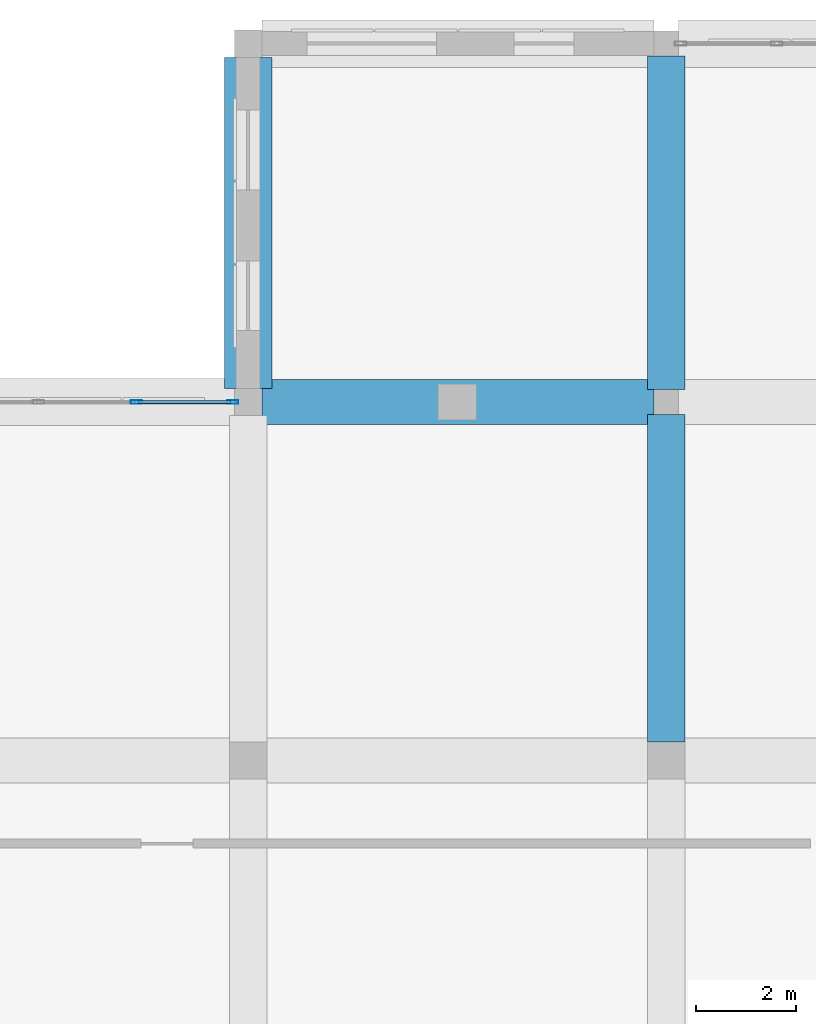
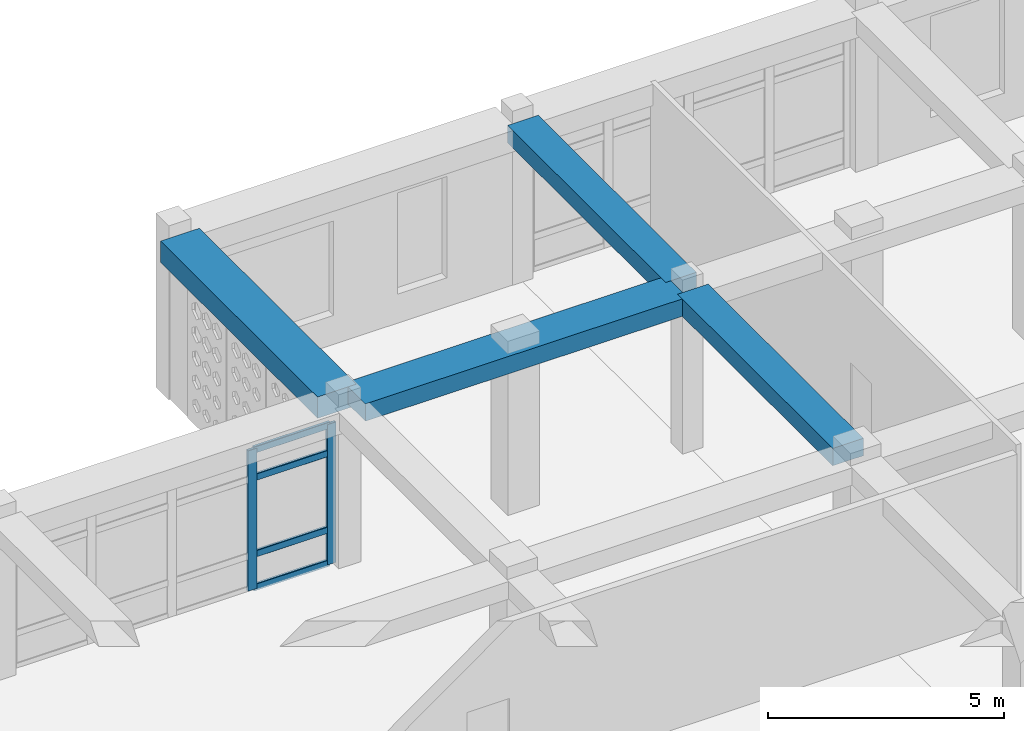
# One storey, part 43 of 121: 6 members, 4 beams, 1 element without a shape of its own.
"""IFC4 building model written with IfcOpenShell, lengths in metres."""

from ifc_helpers import new_model, si_unit, derived_unit, direction, frame, origin, origin_2d, place, context, subcontext, project, spatial, rectangle, hollow_rectangle, extrude, material, material_profile, profile_set, type_object, element, aggregate, save


model = new_model("IFC4")

# Units and contexts
model_context = context("Model", 3, precision=1e-05, world=origin(), true_north=direction((0.0, 1.0)))
body_context = subcontext(model_context, "Body", "Model", "MODEL_VIEW")
ifc_project = project(units=[si_unit("LENGTHUNIT", "METRE"), si_unit("AREAUNIT", "SQUARE_METRE"), si_unit("VOLUMEUNIT", "CUBIC_METRE"), si_unit("PLANEANGLEUNIT", "RADIAN"), si_unit("MASSUNIT", "GRAM", prefix="KILO"), derived_unit("THERMALTRANSMITTANCEUNIT", [(si_unit("POWERUNIT", "WATT"), 1), (si_unit("LENGTHUNIT", "METRE"), -2), (si_unit("THERMODYNAMICTEMPERATUREUNIT", "KELVIN"), -1)])], contexts=[model_context])

# Site, building, storey
site_placement = place(None, origin())
site = spatial("IfcSite", under=ifc_project, at=site_placement, CompositionType="ELEMENT")
building_placement = place(site_placement, origin())
building = spatial("IfcBuilding", under=site, at=building_placement, Name="Veybourne Emporium", CompositionType="ELEMENT")
storey_placement = place(building_placement, frame((0.0, 0.0, 5.39990234375)))
storey = spatial("IfcBuildingStorey", under=building, at=storey_placement, Name="L01", CompositionType="ELEMENT", Elevation=5.39990234375)

# Curtain wall, members
ifc_material_1 = material(Name="Patinated Architectural Bronze", Category="bronze")
curtain_wall_type = type_object("IfcCurtainWallType", Name="CWSystem_CWS-05", PredefinedType="NOTDEFINED", material=ifc_material_1)
curtain_wall_placement = place(storey_placement, origin())
curtain_wall = element("IfcCurtainWall", 1, at=curtain_wall_placement, inside=storey, type_object=curtain_wall_type, Name="L01 bronze glazed curtain wall CWS-05 (027)", PredefinedType="NOTDEFINED")
ifc_material_profile_1 = material_profile(ifc_material_1, hollow_rectangle(XDim=0.072021484375, YDim=0.22509765625, WallThickness=0.0048828125, InnerFilletRadius=0.007568359375, OuterFilletRadius=0.012451171875, at=origin_2d()), Name="CWM 72x225x5")
ifc_profile_set_1 = profile_set([ifc_material_profile_1], Name="Patinated Architectural Bronze")
member_type_1 = type_object("IfcMemberType", Name="CWMullion_CW-M1", PredefinedType="MULLION", material=ifc_profile_set_1)
member_1_placement = place(storey_placement, frame((48.15625, 108.0, 0.0), z_axis=(0.0, 0.0, 1.0), x_axis=(0.0, 1.0, 0.0)))
member_1 = element("IfcMember", 2, at=member_1_placement, type_object=member_type_1, Name="CWS-05 mullion 4", PredefinedType="MULLION", context=body_context, shape_type="SweptSolid", body=[
    extrude(hollow_rectangle(XDim=0.072021484375, YDim=0.22509765625, WallThickness=0.0048828125, InnerFilletRadius=0.007568359375, OuterFilletRadius=0.012451171875, at=origin_2d()), origin(), (0.0, 0.0, 1.0), 3.630126953125),
])
member_2_placement = place(storey_placement, frame((50.089111328125, 108.0, 0.0), z_axis=(0.0, 0.0, 1.0), x_axis=(0.0, 1.0, 0.0)))
member_2 = element("IfcMember", 3, at=member_2_placement, type_object=member_type_1, Name="CWS-05 mullion 5", PredefinedType="MULLION", context=body_context, shape_type="SweptSolid", body=[
    extrude(hollow_rectangle(XDim=0.072021484375, YDim=0.22509765625, WallThickness=0.0048828125, InnerFilletRadius=0.007568359375, OuterFilletRadius=0.012451171875, at=origin_2d()), origin(), (0.0, 0.0, 1.0), 3.630126953125),
])
ifc_material_profile_2 = material_profile(ifc_material_1, hollow_rectangle(XDim=0.072021484375, YDim=0.175048828125, WallThickness=0.0048828125, InnerFilletRadius=0.007568359375, OuterFilletRadius=0.012451171875, at=origin_2d()), Name="CWT 72x175x5")
ifc_profile_set_2 = profile_set([ifc_material_profile_2], Name="Patinated Architectural Bronze")
member_type_2 = type_object("IfcMemberType", Name="CWTransom_CW-T1", PredefinedType="NOTDEFINED", material=ifc_profile_set_2)
member_3_placement = place(storey_placement, frame((48.192138671875, 108.0, 0.0361328125), z_axis=(1.0, 0.0, 0.0), x_axis=(0.0, 1.0, 0.0)))
member_3 = element("IfcMember", 4, at=member_3_placement, type_object=member_type_2, Name="CWS-05 transom 4.1", ObjectType="TRANSOM", PredefinedType="USERDEFINED", context=body_context, shape_type="SweptSolid", body=[
    extrude(hollow_rectangle(XDim=0.072021484375, YDim=0.175048828125, WallThickness=0.0048828125, InnerFilletRadius=0.007568359375, OuterFilletRadius=0.012451171875, at=origin_2d()), origin(), (0.0, 0.0, 1.0), 1.86083984375),
])
member_4_placement = place(storey_placement, frame((48.192138671875, 108.0, 0.900146484375), z_axis=(1.0, 0.0, 0.0), x_axis=(0.0, 1.0, 0.0)))
member_4 = element("IfcMember", 5, at=member_4_placement, type_object=member_type_2, Name="CWS-05 transom 4.2", ObjectType="TRANSOM", PredefinedType="USERDEFINED", context=body_context, shape_type="SweptSolid", body=[
    extrude(hollow_rectangle(XDim=0.072021484375, YDim=0.175048828125, WallThickness=0.0048828125, InnerFilletRadius=0.007568359375, OuterFilletRadius=0.012451171875, at=origin_2d()), origin(), (0.0, 0.0, 1.0), 1.86083984375),
])
member_5_placement = place(storey_placement, frame((48.192138671875, 108.0, 2.880126953125), z_axis=(1.0, 0.0, 0.0), x_axis=(0.0, 1.0, 0.0)))
member_5 = element("IfcMember", 6, at=member_5_placement, type_object=member_type_2, Name="CWS-05 transom 4.3", ObjectType="TRANSOM", PredefinedType="USERDEFINED", context=body_context, shape_type="SweptSolid", body=[
    extrude(hollow_rectangle(XDim=0.072021484375, YDim=0.175048828125, WallThickness=0.0048828125, InnerFilletRadius=0.007568359375, OuterFilletRadius=0.012451171875, at=origin_2d()), origin(), (0.0, 0.0, 1.0), 1.86083984375),
])
member_6_placement = place(storey_placement, frame((48.192138671875, 108.0, 3.593994140625), z_axis=(1.0, 0.0, 0.0), x_axis=(0.0, 1.0, 0.0)))
member_6 = element("IfcMember", 7, at=member_6_placement, type_object=member_type_2, Name="CWS-05 transom 4.4", ObjectType="TRANSOM", PredefinedType="USERDEFINED", context=body_context, shape_type="SweptSolid", body=[
    extrude(hollow_rectangle(XDim=0.072021484375, YDim=0.175048828125, WallThickness=0.0048828125, InnerFilletRadius=0.007568359375, OuterFilletRadius=0.012451171875, at=origin_2d()), origin(), (0.0, 0.0, 1.0), 1.86083984375),
])
aggregate(curtain_wall, [member_1, member_2, member_3, member_4, member_5, member_6])

# Beams
ifc_material_2 = material(Name="Concrete C32/40", Category="concrete")
ifc_material_profile_3 = material_profile(ifc_material_2, rectangle(XDim=0.89990234375, YDim=0.449951171875, at=origin_2d()), Name="RC 900x450")
ifc_profile_set_3 = profile_set([ifc_material_profile_3], Name="Concrete C32/40")
beam_type_1 = type_object("IfcBeamType", Name="RCBeam_BB-03", PredefinedType="BEAM", material=ifc_profile_set_3)
beam_1_placement = place(storey_placement, frame((50.675048828125, 108.0, 3.955078125), z_axis=(1.0, 0.0, 0.0), x_axis=(0.0, 1.0, 0.0)))
element("IfcBeam", 8, at=beam_1_placement, inside=storey, type_object=beam_type_1, Name="L01 X-grid beam BB-03 (6,15)", PredefinedType="BEAM", context=body_context, shape_type="SweptSolid", body=[
    extrude(rectangle(XDim=0.89990234375, YDim=0.449951171875, at=origin_2d()), origin(), (0.0, 0.0, 1.0), 7.875),
])
ifc_material_profile_4 = material_profile(ifc_material_2, rectangle(XDim=0.75, YDim=0.449951171875, at=origin_2d()), Name="RC 750x450")
ifc_profile_set_4 = profile_set([ifc_material_profile_4], Name="Concrete C32/40")
beam_type_2 = type_object("IfcBeamType", Name="RCBeam_BB-04", PredefinedType="BEAM", material=ifc_profile_set_4)
beam_2_placement = place(storey_placement, frame((58.800048828125, 101.175048828125, 3.955078125), z_axis=(0.0, 1.0, 0.0), x_axis=(-1.0, 0.0, 0.0)))
element("IfcBeam", 9, at=beam_2_placement, inside=storey, type_object=beam_type_2, Name="L01 Y-grid beam BB-04 (7,14)", PredefinedType="BEAM", context=body_context, shape_type="SweptSolid", body=[
    extrude(rectangle(XDim=0.75, YDim=0.449951171875, at=origin_2d()), origin(), (0.0, 0.0, 1.0), 6.574951171875),
])
beam_3_placement = place(storey_placement, frame((58.800048828125, 108.25, 3.955078125), z_axis=(0.0, 1.0, 0.0), x_axis=(-1.0, 0.0, 0.0)))
element("IfcBeam", 10, at=beam_3_placement, inside=storey, type_object=beam_type_2, Name="L01 Y-grid beam BB-04 (7,15)", PredefinedType="BEAM", context=body_context, shape_type="SweptSolid", body=[
    extrude(rectangle(XDim=0.75, YDim=0.449951171875, at=origin_2d()), origin(), (0.0, 0.0, 1.0), 6.699951171875),
])
ifc_material_profile_5 = material_profile(ifc_material_2, rectangle(XDim=0.949951171875, YDim=0.550048828125, at=origin_2d()), Name="RC 950x550")
ifc_profile_set_5 = profile_set([ifc_material_profile_5], Name="Concrete C32/40")
beam_type_3 = type_object("IfcBeamType", Name="RCBeam_EB-01", PredefinedType="SPANDREL", material=ifc_profile_set_5)
beam_4_placement = place(storey_placement, frame((50.39990234375, 108.27490234375, 3.905029296875), z_axis=(0.0, 1.0, 0.0), x_axis=(-1.0, 0.0, 0.0)))
element("IfcBeam", 11, at=beam_4_placement, inside=storey, type_object=beam_type_3, Name="L01 Y-grid beam EB-01 (6,15)", PredefinedType="SPANDREL", context=body_context, shape_type="SweptSolid", body=[
    extrude(rectangle(XDim=0.949951171875, YDim=0.550048828125, at=origin_2d()), origin(), (0.0, 0.0, 1.0), 6.650146484375),
])

save(model, "model.ifc")
